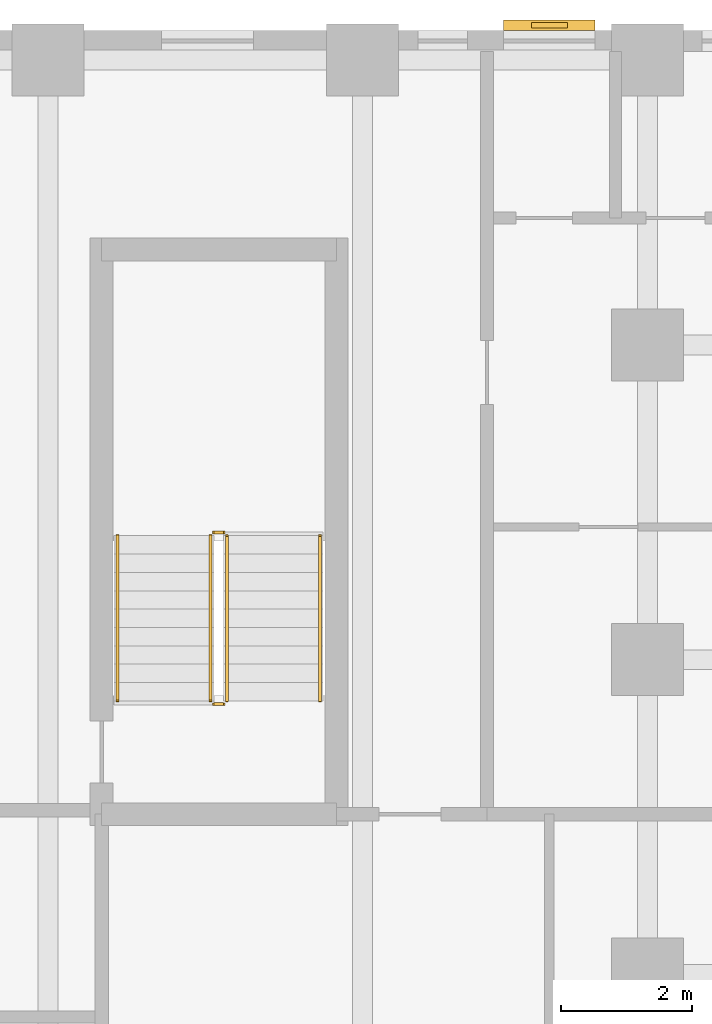
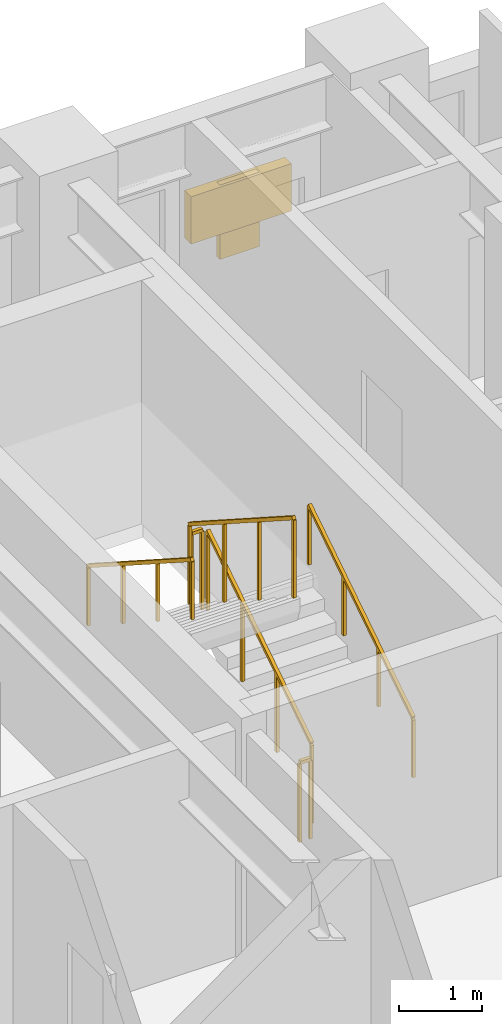
# One storey, part 11 of 11: 6 railings, 2 shading devices.
"""IFC4 building model written with IfcOpenShell, lengths in metres."""

from ifc_helpers import new_model, si_unit, direction, frame, origin, origin_2d, place, context, subcontext, project, spatial, rectangle, extrude, material, type_object, element, save


model = new_model("IFC4")

# Units and contexts
model_context = context("Model", 3, precision=1e-05, world=origin(), true_north=direction((0.0, 1.0)))
body_context = subcontext(model_context, "Body", "Model", "MODEL_VIEW")
ifc_project = project(units=[si_unit("LENGTHUNIT", "METRE"), si_unit("AREAUNIT", "SQUARE_METRE"), si_unit("VOLUMEUNIT", "CUBIC_METRE"), si_unit("PLANEANGLEUNIT", "RADIAN"), si_unit("MASSUNIT", "GRAM", prefix="KILO")], contexts=[model_context])

# Site, building, storey
site_placement = place(None, origin())
site = spatial("IfcSite", under=ifc_project, at=site_placement, CompositionType="ELEMENT")
building_placement = place(site_placement, origin())
building = spatial("IfcBuilding", under=site, at=building_placement, Name="Orvandelia Arch Residences", CompositionType="ELEMENT")
storey_placement = place(building_placement, frame((0.0, 0.0, 53.800048828125)))
storey = spatial("IfcBuildingStorey", under=building, at=storey_placement, Name="L13", CompositionType="ELEMENT", Elevation=53.800048828125)

# Railings
ifc_material_1 = material(Name="Brushed Stainless Steel 304", Category="steel")
railing_type_1 = type_object("IfcRailingType", Name="RL-STAIR-GD1120", PredefinedType="GUARDRAIL", material=ifc_material_1)
railing_1_placement = place(storey_placement, frame((45.929931640625, 37.77001953125, 0.179931640625)))
element("IfcRailing", 1, at=railing_1_placement, inside=storey, type_object=railing_type_1, Name="L13 ST-3 stair guard 1", PredefinedType="GUARDRAIL", context=body_context, shape_type="SweptSolid", body=[
    extrude(rectangle(XDim=0.048095703125, YDim=0.048095703125, at=origin_2d()), frame((0.0, 0.0, 1.17578125), z_axis=(0.0, 0.841162588446, 0.540782303519), x_axis=(-1.0, 0.0, 0.0)), (0.0, 0.0, 1.0), 2.995849609375),
    extrude(rectangle(XDim=0.0419921875, YDim=0.0419921875, at=origin_2d()), origin(), (0.0, 0.0, 1.0), 1.15185546875),
    extrude(rectangle(XDim=0.0419921875, YDim=0.0419921875, at=origin_2d()), frame((0.0, 0.840087890625, 0.5400390625)), (0.0, 0.0, 1.0), 1.15185546875),
    extrude(rectangle(XDim=0.0419921875, YDim=0.0419921875, at=origin_2d()), frame((0.0, 1.679931640625, 1.080078125)), (0.0, 0.0, 1.0), 1.15185546875),
    extrude(rectangle(XDim=0.0419921875, YDim=0.0419921875, at=origin_2d()), frame((0.0, 2.52001953125, 1.6201171875)), (0.0, 0.0, 1.0), 1.15185546875),
])
railing_2_placement = place(storey_placement, frame((45.8798828125, 40.340087890625, 1.800048828125)))
element("IfcRailing", 2, at=railing_2_placement, inside=storey, type_object=railing_type_1, Name="L13 ST-3 stair guard 2", PredefinedType="GUARDRAIL", context=body_context, shape_type="SweptSolid", body=[
    extrude(rectangle(XDim=0.048095703125, YDim=0.048095703125, at=origin_2d()), frame((0.0, 0.0, 1.17578125), z_axis=(-1.0, 0.0, 0.0), x_axis=(0.0, -1.0, 0.0)), (0.0, 0.0, 1.0), 0.14990234375),
    extrude(rectangle(XDim=0.0419921875, YDim=0.0419921875, at=origin_2d()), origin(), (0.0, 0.0, 1.0), 1.15185546875),
    extrude(rectangle(XDim=0.0419921875, YDim=0.0419921875, at=origin_2d()), frame((-0.14990234375, 0.0, 0.0)), (0.0, 0.0, 1.0), 1.15185546875),
])
railing_3_placement = place(storey_placement, frame((45.679931640625, 40.2900390625, 1.97998046875)))
element("IfcRailing", 3, at=railing_3_placement, inside=storey, type_object=railing_type_1, Name="L13 ST-3 stair guard 3", PredefinedType="GUARDRAIL", context=body_context, shape_type="SweptSolid", body=[
    extrude(rectangle(XDim=0.048095703125, YDim=0.048095703125, at=origin_2d()), frame((0.0, 0.0, 1.17578125), z_axis=(0.0, -0.841199657755, 0.540724639528), x_axis=(1.0, 0.0, 0.0)), (0.0, 0.0, 1.0), 2.995849609375),
    extrude(rectangle(XDim=0.0419921875, YDim=0.0419921875, at=origin_2d()), origin(), (0.0, 0.0, 1.0), 1.15185546875),
    extrude(rectangle(XDim=0.0419921875, YDim=0.0419921875, at=origin_2d()), frame((0.0, -0.840087890625, 0.5400390625)), (0.0, 0.0, 1.0), 1.15185546875),
    extrude(rectangle(XDim=0.0419921875, YDim=0.0419921875, at=origin_2d()), frame((0.0, -1.679931640625, 1.079833984375)), (0.0, 0.0, 1.0), 1.15185546875),
    extrude(rectangle(XDim=0.0419921875, YDim=0.0419921875, at=origin_2d()), frame((0.0, -2.52001953125, 1.619873046875)), (0.0, 0.0, 1.0), 1.15185546875),
])
railing_4_placement = place(storey_placement, frame((45.8798828125, 37.719970703125, 0.0)))
element("IfcRailing", 4, at=railing_4_placement, inside=storey, type_object=railing_type_1, Name="L13 ST-3 stair guard 4", PredefinedType="GUARDRAIL", context=body_context, shape_type="SweptSolid", body=[
    extrude(rectangle(XDim=0.048095703125, YDim=0.048095703125, at=origin_2d()), frame((0.0, 0.0, 1.17578125), z_axis=(-1.0, 0.0, 0.0), x_axis=(0.0, -1.0, 0.0)), (0.0, 0.0, 1.0), 0.14990234375),
    extrude(rectangle(XDim=0.0419921875, YDim=0.0419921875, at=origin_2d()), origin(), (0.0, 0.0, 1.0), 1.15185546875),
    extrude(rectangle(XDim=0.0419921875, YDim=0.0419921875, at=origin_2d()), frame((-0.14990234375, 0.0, 0.0)), (0.0, 0.0, 1.0), 1.15185546875),
])
railing_type_2 = type_object("IfcRailingType", Name="RL-STAIR-HR920", PredefinedType="HANDRAIL", material=ifc_material_1)
railing_5_placement = place(storey_placement, frame((47.35009765625, 37.77001953125, 0.35986328125)))
element("IfcRailing", 5, at=railing_5_placement, inside=storey, type_object=railing_type_2, Name="L13 ST-3 stair handrail 1", PredefinedType="HANDRAIL", context=body_context, shape_type="SweptSolid", body=[
    extrude(rectangle(XDim=0.048095703125, YDim=0.048095703125, at=origin_2d()), frame((0.0, 0.0, 0.8759765625), z_axis=(0.0, 0.841162588446, 0.540782303519), x_axis=(-1.0, 0.0, 0.0)), (0.0, 0.0, 1.0), 2.995849609375),
    extrude(rectangle(XDim=0.0419921875, YDim=0.0419921875, at=origin_2d()), origin(), (0.0, 0.0, 1.0), 0.851806640625),
    extrude(rectangle(XDim=0.0419921875, YDim=0.0419921875, at=origin_2d()), frame((0.0, 0.840087890625, 0.5400390625)), (0.0, 0.0, 1.0), 0.851806640625),
    extrude(rectangle(XDim=0.0419921875, YDim=0.0419921875, at=origin_2d()), frame((0.0, 1.679931640625, 1.080078125)), (0.0, 0.0, 1.0), 0.851806640625),
    extrude(rectangle(XDim=0.0419921875, YDim=0.0419921875, at=origin_2d()), frame((0.0, 2.52001953125, 1.6201171875)), (0.0, 0.0, 1.0), 0.851806640625),
])
railing_6_placement = place(storey_placement, frame((44.260009765625, 40.2900390625, 2.159912109375)))
element("IfcRailing", 6, at=railing_6_placement, inside=storey, type_object=railing_type_2, Name="L13 ST-3 stair handrail 2", PredefinedType="HANDRAIL", context=body_context, shape_type="SweptSolid", body=[
    extrude(rectangle(XDim=0.048095703125, YDim=0.048095703125, at=origin_2d()), frame((0.0, 0.0, 0.8759765625), z_axis=(0.0, -0.841162588446, 0.540782303519), x_axis=(1.0, 0.0, 0.0)), (0.0, 0.0, 1.0), 2.995849609375),
    extrude(rectangle(XDim=0.0419921875, YDim=0.0419921875, at=origin_2d()), origin(), (0.0, 0.0, 1.0), 0.851806640625),
    extrude(rectangle(XDim=0.0419921875, YDim=0.0419921875, at=origin_2d()), frame((0.0, -0.840087890625, 0.5400390625)), (0.0, 0.0, 1.0), 0.851806640625),
    extrude(rectangle(XDim=0.0419921875, YDim=0.0419921875, at=origin_2d()), frame((0.0, -1.679931640625, 1.080078125)), (0.0, 0.0, 1.0), 0.851806640625),
    extrude(rectangle(XDim=0.0419921875, YDim=0.0419921875, at=origin_2d()), frame((0.0, -2.52001953125, 1.6201171875)), (0.0, 0.0, 1.0), 0.851806640625),
])

# Shading devices
ifc_material_2 = material(Name="Anodised Champagne-Bronze Extruded Aluminium", Category="aluminium")
shading_device_type_1 = type_object("IfcShadingDeviceType", Name="SHD-JALOUSIE-SCREEN", PredefinedType="JALOUSIE", material=ifc_material_2)
shading_device_1_placement = place(storey_placement, frame((50.85009765625, 48.080078125, 1.0498046875), z_axis=(0.0, 0.0, 1.0), x_axis=(1.0, 0.0, 0.0)))
element("IfcShadingDevice", 7, at=shading_device_1_placement, inside=storey, type_object=shading_device_type_1, Name="Bronze Jalousie Sun-Shade L13-003", PredefinedType="JALOUSIE", context=body_context, shape_type="SweptSolid", body=[
    extrude(rectangle(XDim=1.39990234375, YDim=0.159912109375, at=origin_2d()), origin(), (0.0, 0.0, 1.0), 0.699951171875),
])
ifc_material_3 = material(Name="Marine-Grade Perforated Aluminium Storm Shutter", Category="aluminium")
shading_device_type_2 = type_object("IfcShadingDeviceType", Name="SHD-STORM-SHUTTER", PredefinedType="SHUTTER", material=ifc_material_3)
shading_device_2_placement = place(storey_placement, frame((50.85009765625, 48.080078125, 0.64990234375), z_axis=(0.0, 0.0, 1.0), x_axis=(1.0, 0.0, 0.0)))
element("IfcShadingDevice", 8, at=shading_device_2_placement, inside=storey, type_object=shading_device_type_2, Name="Operable Typhoon Storm Shutter L13-003", PredefinedType="SHUTTER", context=body_context, shape_type="SweptSolid", body=[
    extrude(rectangle(XDim=0.550048828125, YDim=0.080078125, at=origin_2d()), origin(), (0.0, 0.0, 1.0), 1.10009765625),
])

save(model, "model.ifc")
